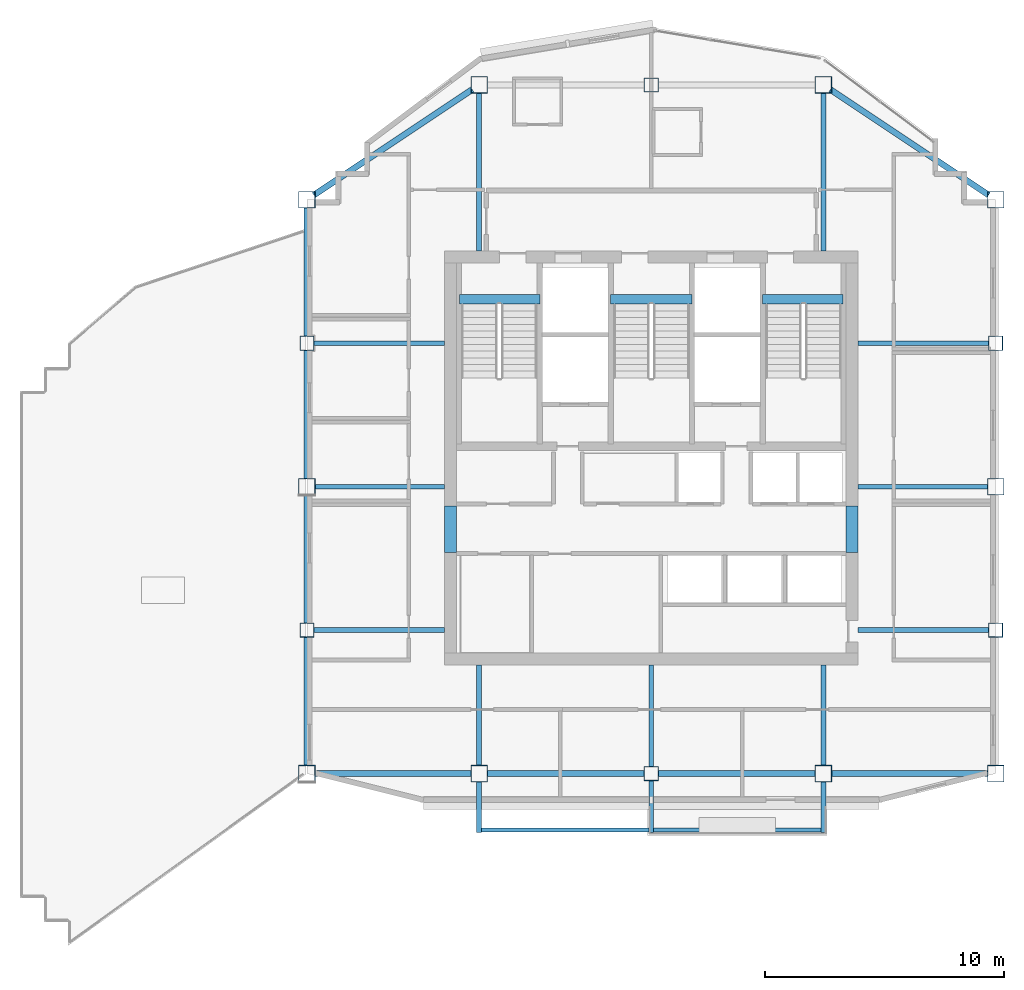
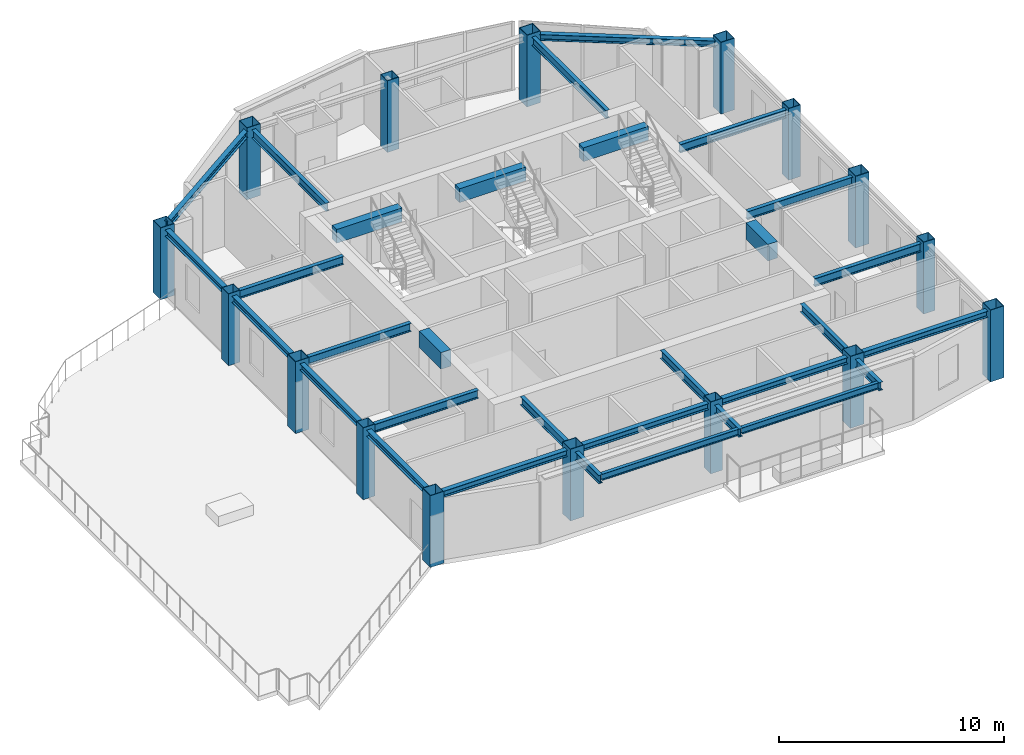
# One storey, part 1 of 12: 31 beams, 16 columns.
"""IFC4 building model written with IfcOpenShell, lengths in metres."""

from ifc_helpers import new_model, si_unit, direction, frame, origin, origin_2d, place, context, subcontext, project, spatial, rectangle, hollow_rectangle, i_section, extrude, material, material_profile, profile_set, type_object, element, save


model = new_model("IFC4")

# Units and contexts
model_context = context("Model", 3, precision=1e-05, world=origin(), true_north=direction((0.0, 1.0)))
body_context = subcontext(model_context, "Body", "Model", "MODEL_VIEW")
ifc_project = project(units=[si_unit("LENGTHUNIT", "METRE"), si_unit("AREAUNIT", "SQUARE_METRE"), si_unit("VOLUMEUNIT", "CUBIC_METRE"), si_unit("PLANEANGLEUNIT", "RADIAN"), si_unit("MASSUNIT", "GRAM", prefix="KILO")], contexts=[model_context])

# Site, building, storey
site_placement = place(None, origin())
site = spatial("IfcSite", under=ifc_project, at=site_placement, CompositionType="ELEMENT")
building_placement = place(site_placement, origin())
building = spatial("IfcBuilding", under=site, at=building_placement, Name="Haolan Belvedere Tower", CompositionType="ELEMENT")
storey_placement = place(building_placement, frame((0.0, 0.0, 282.199951171875)))
storey = spatial("IfcBuildingStorey", under=building, at=storey_placement, Name="L71", CompositionType="ELEMENT", Elevation=282.199951171875)

# Columns
ifc_material_1 = material(Name="Steel Q390GJC", Category="steel")
ifc_material_profile_1 = material_profile(ifc_material_1, hollow_rectangle(XDim=0.60009765625, YDim=0.60009765625, WallThickness=0.02392578125, at=origin_2d()), Name="Steel Q390GJC")
ifc_profile_set_1 = profile_set([ifc_material_profile_1], Name="Steel Q390GJC")
column_type_1 = type_object("IfcColumnType", Name="COL-BOX600x600x24", PredefinedType="COLUMN", material=ifc_profile_set_1)
for number, where, z_axis, x_axis, name in (
    (1, (24.0, 27.60009765625, 0.0), (0.0, 0.0, 1.0), (1.0, 0.0, 0.0), "L71 column TC-T3-W1 (BOX600x600x24)"),
    (2, (24.0, 39.60009765625, 0.0), (0.0, 0.0, 1.0), (1.0, 0.0, 0.0), "L71 column TC-T3-W2 (BOX600x600x24)"),
    (3, (52.800048828125, 27.60009765625, 0.0), (0.0, 0.0, 1.0), (1.0, 0.0, 0.0), "L71 column TC-T3-E1 (BOX600x600x24)"),
    (4, (52.800048828125, 39.60009765625, 0.0), (0.0, 0.0, 1.0), (1.0, 0.0, 0.0), "L71 column TC-T3-E2 (BOX600x600x24)"),
    (5, (38.39990234375, 21.60009765625, 0.0), (0.0, 0.0, 1.0), (1.0, 0.0, 0.0), "L71 column TC-T3-SM (BOX600x600x24)"),
    (6, (38.39990234375, 50.39990234375, 0.0), (0.0, 0.0, 1.0), (1.0, 0.0, 0.0), "L71 column TC-T3-NM (BOX600x600x24)"),
):
    element("IfcColumn", number, at=place(storey_placement, frame(where, z_axis=z_axis, x_axis=x_axis)), inside=storey, type_object=column_type_1, Name=name, PredefinedType="COLUMN", context=body_context, shape_type="SweptSolid", body=[
        extrude(hollow_rectangle(XDim=0.60009765625, YDim=0.60009765625, WallThickness=0.02392578125, at=origin_2d()), origin(), (0.0, 0.0, 1.0), 3.900146484375),
    ])
ifc_material_profile_2 = material_profile(ifc_material_1, hollow_rectangle(XDim=0.699951171875, YDim=0.699951171875, WallThickness=0.02587890625, at=origin_2d()), Name="Steel Q390GJC")
ifc_profile_set_2 = profile_set([ifc_material_profile_2], Name="Steel Q390GJC")
column_type_2 = type_object("IfcColumnType", Name="COL-BOX700x700x26", PredefinedType="COLUMN", material=ifc_profile_set_2)
for number, where, z_axis, x_axis, name in (
    (7, (24.0, 21.60009765625, 0.0), (0.0, 0.0, 1.0), (1.0, 0.0, 0.0), "L71 column MC-T3-SW (BOX700x700x26)"),
    (8, (24.0, 33.60009765625, 0.0), (0.0, 0.0, 1.0), (1.0, 0.0, 0.0), "L71 column MC-T3-MW (BOX700x700x26)"),
    (9, (24.0, 45.60009765625, 0.0), (0.0, 0.0, 1.0), (1.0, 0.0, 0.0), "L71 column MC-T3-NW (BOX700x700x26)"),
    (10, (52.800048828125, 21.60009765625, 0.0), (0.0, 0.0, 1.0), (1.0, 0.0, 0.0), "L71 column MC-T3-SE (BOX700x700x26)"),
    (11, (52.800048828125, 33.60009765625, 0.0), (0.0, 0.0, 1.0), (1.0, 0.0, 0.0), "L71 column MC-T3-ME (BOX700x700x26)"),
    (12, (52.800048828125, 45.60009765625, 0.0), (0.0, 0.0, 1.0), (1.0, 0.0, 0.0), "L71 column MC-T3-NE (BOX700x700x26)"),
    (13, (31.199951171875, 21.60009765625, 0.0), (0.0, 0.0, 1.0), (1.0, 0.0, 0.0), "L71 column MC-T3-S1 (BOX700x700x26)"),
    (14, (45.60009765625, 21.60009765625, 0.0), (0.0, 0.0, 1.0), (1.0, 0.0, 0.0), "L71 column MC-T3-S2 (BOX700x700x26)"),
    (15, (31.199951171875, 50.39990234375, 0.0), (0.0, 0.0, 1.0), (1.0, 0.0, 0.0), "L71 column MC-T3-N1 (BOX700x700x26)"),
    (16, (45.60009765625, 50.39990234375, 0.0), (0.0, 0.0, 1.0), (1.0, 0.0, 0.0), "L71 column MC-T3-N2 (BOX700x700x26)"),
):
    element("IfcColumn", number, at=place(storey_placement, frame(where, z_axis=z_axis, x_axis=x_axis)), inside=storey, type_object=column_type_2, Name=name, PredefinedType="COLUMN", context=body_context, shape_type="SweptSolid", body=[
        extrude(hollow_rectangle(XDim=0.699951171875, YDim=0.699951171875, WallThickness=0.02587890625, at=origin_2d()), origin(), (0.0, 0.0, 1.0), 3.900146484375),
    ])

# Beams
ifc_material_2 = material(Name="Steel Q355B", Category="steel")
ifc_material_profile_3 = material_profile(ifc_material_2, i_section(OverallWidth=0.25, OverallDepth=0.340087890625, WebThickness=0.009033203125, FlangeThickness=0.013916015625, FilletRadius=0.02001953125, at=origin_2d()), Name="Steel Q355B")
ifc_profile_set_3 = profile_set([ifc_material_profile_3], Name="Steel Q355B")
beam_type_1 = type_object("IfcBeamType", Name="BM-HM340x250x9x14", PredefinedType="SPANDREL", material=ifc_profile_set_3)
for number, where, z_axis, x_axis, name in (
    (17, (24.0, 21.949951171875, 3.550048828125), (0.0, 1.0, 0.0), (-1.0, 0.0, 0.0), "L71 spandrel girder MC-T3-SW-TC-T3-W1"),
    (18, (24.0, 27.89990234375, 3.550048828125), (0.0, 1.0, 0.0), (-1.0, 0.0, 0.0), "L71 spandrel girder TC-T3-W1-MC-T3-MW"),
    (19, (24.0, 33.949951171875, 3.550048828125), (0.0, 1.0, 0.0), (-1.0, 0.0, 0.0), "L71 spandrel girder MC-T3-MW-TC-T3-W2"),
    (20, (24.0, 39.89990234375, 3.550048828125), (0.0, 1.0, 0.0), (-1.0, 0.0, 0.0), "L71 spandrel girder TC-T3-W2-MC-T3-NW"),
):
    element("IfcBeam", number, at=place(storey_placement, frame(where, z_axis=z_axis, x_axis=x_axis)), inside=storey, type_object=beam_type_1, Name=name, PredefinedType="SPANDREL", context=body_context, shape_type="SweptSolid", body=[
        extrude(i_section(OverallWidth=0.25, OverallDepth=0.340087890625, WebThickness=0.009033203125, FlangeThickness=0.013916015625, FilletRadius=0.02001953125, at=origin_2d()), origin(), (0.0, 0.0, 1.0), 5.35009765625),
    ])
beam_1_placement = place(storey_placement, frame((24.35009765625, 21.60009765625, 3.550048828125), z_axis=(1.0, 0.0, 0.0), x_axis=(0.0, 1.0, 0.0)))
element("IfcBeam", 21, at=beam_1_placement, inside=storey, type_object=beam_type_1, Name="L71 spandrel girder MC-T3-SW-MC-T3-S1", PredefinedType="SPANDREL", context=body_context, shape_type="SweptSolid", body=[
    extrude(i_section(OverallWidth=0.25, OverallDepth=0.340087890625, WebThickness=0.009033203125, FlangeThickness=0.013916015625, FilletRadius=0.02001953125, at=origin_2d()), origin(), (0.0, 0.0, 1.0), 6.5),
])
for number, where, z_axis, x_axis, name in (
    (22, (31.550048828125, 21.60009765625, 3.550048828125), (1.0, 0.0, 0.0), (0.0, 1.0, 0.0), "L71 spandrel girder MC-T3-S1-TC-T3-SM"),
    (23, (38.699951171875, 21.60009765625, 3.550048828125), (1.0, 0.0, 0.0), (0.0, 1.0, 0.0), "L71 spandrel girder TC-T3-SM-MC-T3-S2"),
):
    element("IfcBeam", number, at=place(storey_placement, frame(where, z_axis=z_axis, x_axis=x_axis)), inside=storey, type_object=beam_type_1, Name=name, PredefinedType="SPANDREL", context=body_context, shape_type="SweptSolid", body=[
        extrude(i_section(OverallWidth=0.25, OverallDepth=0.340087890625, WebThickness=0.009033203125, FlangeThickness=0.013916015625, FilletRadius=0.02001953125, at=origin_2d()), origin(), (0.0, 0.0, 1.0), 6.550048828125),
    ])
beam_2_placement = place(storey_placement, frame((45.949951171875, 21.60009765625, 3.550048828125), z_axis=(1.0, 0.0, 0.0), x_axis=(0.0, 1.0, 0.0)))
element("IfcBeam", 24, at=beam_2_placement, inside=storey, type_object=beam_type_1, Name="L71 spandrel girder MC-T3-S2-MC-T3-SE", PredefinedType="SPANDREL", context=body_context, shape_type="SweptSolid", body=[
    extrude(i_section(OverallWidth=0.25, OverallDepth=0.340087890625, WebThickness=0.009033203125, FlangeThickness=0.013916015625, FilletRadius=0.02001953125, at=origin_2d()), origin(), (0.0, 0.0, 1.0), 6.5),
])
beam_3_placement = place(storey_placement, frame((24.291259765625, 45.794189453125, 3.550048828125), z_axis=(0.832050294338, 0.554700196225, 0.0), x_axis=(-0.554700196225, 0.832050294338, 0.0)))
element("IfcBeam", 25, at=beam_3_placement, inside=storey, type_object=beam_type_1, Name="L71 spandrel girder MC-T3-NW-MC-T3-N1", PredefinedType="SPANDREL", context=body_context, shape_type="SweptSolid", body=[
    extrude(i_section(OverallWidth=0.25, OverallDepth=0.340087890625, WebThickness=0.009033203125, FlangeThickness=0.013916015625, FilletRadius=0.02001953125, at=origin_2d()), origin(), (0.0, 0.0, 1.0), 7.953125),
])
beam_4_placement = place(storey_placement, frame((45.89111328125, 50.205810546875, 3.550048828125), z_axis=(0.832059739299, -0.554686028522, 0.0), x_axis=(0.554686028522, 0.832059739299, 0.0)))
element("IfcBeam", 26, at=beam_4_placement, inside=storey, type_object=beam_type_1, Name="L71 spandrel girder MC-T3-N2-MC-T3-NE", PredefinedType="SPANDREL", context=body_context, shape_type="SweptSolid", body=[
    extrude(i_section(OverallWidth=0.25, OverallDepth=0.340087890625, WebThickness=0.009033203125, FlangeThickness=0.013916015625, FilletRadius=0.02001953125, at=origin_2d()), origin(), (0.0, 0.0, 1.0), 7.953369140625),
])
ifc_material_profile_4 = material_profile(ifc_material_2, i_section(OverallWidth=0.175048828125, OverallDepth=0.35009765625, WebThickness=0.007080078125, FlangeThickness=0.010986328125, FilletRadius=0.012939453125, at=origin_2d()), Name="Steel Q355B")
ifc_profile_set_4 = profile_set([ifc_material_profile_4], Name="Steel Q355B")
beam_type_2 = type_object("IfcBeamType", Name="BM-HN350x175x7x11", PredefinedType="JOIST", material=ifc_profile_set_4)
for number, where, z_axis, x_axis, name in (
    (27, (31.300048828125, 19.239990234375, 3.4951171875), (1.0, 0.0, 0.0), (0.0, 1.0, 0.0), "L72 tree-balcony front trimmer beam 1"),
    (28, (38.5, 19.239990234375, 3.4951171875), (1.0, 0.0, 0.0), (0.0, 1.0, 0.0), "L72 tree-balcony front trimmer beam 2"),
):
    element("IfcBeam", number, at=place(storey_placement, frame(where, z_axis=z_axis, x_axis=x_axis)), inside=storey, type_object=beam_type_2, Name=name, PredefinedType="BEAM", context=body_context, shape_type="SweptSolid", body=[
        extrude(i_section(OverallWidth=0.175048828125, OverallDepth=0.35009765625, WebThickness=0.007080078125, FlangeThickness=0.010986328125, FilletRadius=0.012939453125, at=origin_2d()), origin(), (0.0, 0.0, 1.0), 7.0),
    ])
ifc_material_profile_5 = material_profile(ifc_material_2, i_section(OverallWidth=0.199951171875, OverallDepth=0.449951171875, WebThickness=0.009033203125, FlangeThickness=0.013916015625, FilletRadius=0.01611328125, at=origin_2d()), Name="Steel Q355B")
ifc_profile_set_5 = profile_set([ifc_material_profile_5], Name="Steel Q355B")
beam_type_3 = type_object("IfcBeamType", Name="BM-HN450x200x9x14", PredefinedType="BEAM", material=ifc_profile_set_5)
beam_5_placement = place(storey_placement, frame((24.35009765625, 33.60009765625, 3.4951171875), z_axis=(1.0, 0.0, 0.0), x_axis=(0.0, 1.0, 0.0)))
element("IfcBeam", 29, at=beam_5_placement, inside=storey, type_object=beam_type_3, Name="L71 core tie beam from MC-T3-MW", PredefinedType="BEAM", context=body_context, shape_type="SweptSolid", body=[
    extrude(i_section(OverallWidth=0.199951171875, OverallDepth=0.449951171875, WebThickness=0.009033203125, FlangeThickness=0.013916015625, FilletRadius=0.01611328125, at=origin_2d()), origin(), (0.0, 0.0, 1.0), 5.39990234375),
])
for number, where, z_axis, x_axis, name in (
    (30, (24.300048828125, 27.60009765625, 3.4951171875), (1.0, 0.0, 0.0), (0.0, 1.0, 0.0), "L71 core tie beam from TC-T3-W1"),
    (31, (24.300048828125, 39.60009765625, 3.4951171875), (1.0, 0.0, 0.0), (0.0, 1.0, 0.0), "L71 core tie beam from TC-T3-W2"),
):
    element("IfcBeam", number, at=place(storey_placement, frame(where, z_axis=z_axis, x_axis=x_axis)), inside=storey, type_object=beam_type_3, Name=name, PredefinedType="BEAM", context=body_context, shape_type="SweptSolid", body=[
        extrude(i_section(OverallWidth=0.199951171875, OverallDepth=0.449951171875, WebThickness=0.009033203125, FlangeThickness=0.013916015625, FilletRadius=0.01611328125, at=origin_2d()), origin(), (0.0, 0.0, 1.0), 5.449951171875),
    ])
beam_6_placement = place(storey_placement, frame((52.449951171875, 33.60009765625, 3.4951171875), z_axis=(-1.0, 0.0, 0.0), x_axis=(0.0, -1.0, 0.0)))
element("IfcBeam", 32, at=beam_6_placement, inside=storey, type_object=beam_type_3, Name="L71 core tie beam from MC-T3-ME", PredefinedType="BEAM", context=body_context, shape_type="SweptSolid", body=[
    extrude(i_section(OverallWidth=0.199951171875, OverallDepth=0.449951171875, WebThickness=0.009033203125, FlangeThickness=0.013916015625, FilletRadius=0.01611328125, at=origin_2d()), origin(), (0.0, 0.0, 1.0), 5.39990234375),
])
for number, where, z_axis, x_axis, name in (
    (33, (52.5, 27.60009765625, 3.4951171875), (-1.0, 0.0, 0.0), (0.0, -1.0, 0.0), "L71 core tie beam from TC-T3-E1"),
    (34, (52.5, 39.60009765625, 3.4951171875), (-1.0, 0.0, 0.0), (0.0, -1.0, 0.0), "L71 core tie beam from TC-T3-E2"),
):
    element("IfcBeam", number, at=place(storey_placement, frame(where, z_axis=z_axis, x_axis=x_axis)), inside=storey, type_object=beam_type_3, Name=name, PredefinedType="BEAM", context=body_context, shape_type="SweptSolid", body=[
        extrude(i_section(OverallWidth=0.199951171875, OverallDepth=0.449951171875, WebThickness=0.009033203125, FlangeThickness=0.013916015625, FilletRadius=0.01611328125, at=origin_2d()), origin(), (0.0, 0.0, 1.0), 5.449951171875),
    ])
beam_7_placement = place(storey_placement, frame((31.199951171875, 21.949951171875, 3.4951171875), z_axis=(0.0, 1.0, 0.0), x_axis=(-1.0, 0.0, 0.0)))
element("IfcBeam", 35, at=beam_7_placement, inside=storey, type_object=beam_type_3, Name="L71 core tie beam from MC-T3-S1", PredefinedType="BEAM", context=body_context, shape_type="SweptSolid", body=[
    extrude(i_section(OverallWidth=0.199951171875, OverallDepth=0.449951171875, WebThickness=0.009033203125, FlangeThickness=0.013916015625, FilletRadius=0.01611328125, at=origin_2d()), origin(), (0.0, 0.0, 1.0), 4.199951171875),
])
beam_8_placement = place(storey_placement, frame((38.39990234375, 21.89990234375, 3.4951171875), z_axis=(0.0, 1.0, 0.0), x_axis=(-1.0, 0.0, 0.0)))
element("IfcBeam", 36, at=beam_8_placement, inside=storey, type_object=beam_type_3, Name="L71 core tie beam from TC-T3-SM", PredefinedType="BEAM", context=body_context, shape_type="SweptSolid", body=[
    extrude(i_section(OverallWidth=0.199951171875, OverallDepth=0.449951171875, WebThickness=0.009033203125, FlangeThickness=0.013916015625, FilletRadius=0.01611328125, at=origin_2d()), origin(), (0.0, 0.0, 1.0), 4.25),
])
beam_9_placement = place(storey_placement, frame((45.60009765625, 21.949951171875, 3.4951171875), z_axis=(0.0, 1.0, 0.0), x_axis=(-1.0, 0.0, 0.0)))
element("IfcBeam", 37, at=beam_9_placement, inside=storey, type_object=beam_type_3, Name="L71 core tie beam from MC-T3-S2", PredefinedType="BEAM", context=body_context, shape_type="SweptSolid", body=[
    extrude(i_section(OverallWidth=0.199951171875, OverallDepth=0.449951171875, WebThickness=0.009033203125, FlangeThickness=0.013916015625, FilletRadius=0.01611328125, at=origin_2d()), origin(), (0.0, 0.0, 1.0), 4.199951171875),
])
for number, where, z_axis, x_axis, name in (
    (38, (31.199951171875, 50.050048828125, 3.4951171875), (0.0, -1.0, 0.0), (1.0, 0.0, 0.0), "L71 core tie beam from MC-T3-N1"),
    (39, (45.60009765625, 50.050048828125, 3.4951171875), (0.0, -1.0, 0.0), (1.0, 0.0, 0.0), "L71 core tie beam from MC-T3-N2"),
):
    element("IfcBeam", number, at=place(storey_placement, frame(where, z_axis=z_axis, x_axis=x_axis)), inside=storey, type_object=beam_type_3, Name=name, PredefinedType="BEAM", context=body_context, shape_type="SweptSolid", body=[
        extrude(i_section(OverallWidth=0.199951171875, OverallDepth=0.449951171875, WebThickness=0.009033203125, FlangeThickness=0.013916015625, FilletRadius=0.01611328125, at=origin_2d()), origin(), (0.0, 0.0, 1.0), 6.60009765625),
    ])
beam_10_placement = place(storey_placement, frame((31.199951171875, 21.25, 3.445068359375), z_axis=(0.0, -1.0, 0.0), x_axis=(1.0, 0.0, 0.0)))
element("IfcBeam", 40, at=beam_10_placement, inside=storey, type_object=beam_type_3, Name="L72 tree-balcony column cantilever MC-T3-S1", PredefinedType="BEAM", context=body_context, shape_type="SweptSolid", body=[
    extrude(i_section(OverallWidth=0.199951171875, OverallDepth=0.449951171875, WebThickness=0.009033203125, FlangeThickness=0.013916015625, FilletRadius=0.01611328125, at=origin_2d()), origin(), (0.0, 0.0, 1.0), 2.110107421875),
])
beam_11_placement = place(storey_placement, frame((38.39990234375, 21.300048828125, 3.445068359375), z_axis=(0.0, -1.0, 0.0), x_axis=(1.0, 0.0, 0.0)))
element("IfcBeam", 41, at=beam_11_placement, inside=storey, type_object=beam_type_3, Name="L72 tree-balcony column cantilever TC-T3-SM", PredefinedType="BEAM", context=body_context, shape_type="SweptSolid", body=[
    extrude(i_section(OverallWidth=0.199951171875, OverallDepth=0.449951171875, WebThickness=0.009033203125, FlangeThickness=0.013916015625, FilletRadius=0.01611328125, at=origin_2d()), origin(), (0.0, 0.0, 1.0), 2.16015625),
])
beam_12_placement = place(storey_placement, frame((45.60009765625, 21.25, 3.445068359375), z_axis=(0.0, -1.0, 0.0), x_axis=(1.0, 0.0, 0.0)))
element("IfcBeam", 42, at=beam_12_placement, inside=storey, type_object=beam_type_3, Name="L72 tree-balcony column cantilever MC-T3-S2", PredefinedType="BEAM", context=body_context, shape_type="SweptSolid", body=[
    extrude(i_section(OverallWidth=0.199951171875, OverallDepth=0.449951171875, WebThickness=0.009033203125, FlangeThickness=0.013916015625, FilletRadius=0.01611328125, at=origin_2d()), origin(), (0.0, 0.0, 1.0), 2.110107421875),
])
ifc_material_3 = material(Name="Concrete C50/60", Category="concrete")
ifc_material_profile_6 = material_profile(ifc_material_3, rectangle(XDim=0.39990234375, YDim=0.75, at=origin_2d()), Name="Concrete C50/60")
ifc_profile_set_6 = profile_set([ifc_material_profile_6], Name="Concrete C50/60")
beam_type_4 = type_object("IfcBeamType", Name="BM-RC400x750", PredefinedType="T_BEAM", material=ifc_profile_set_6)
beam_13_placement = place(storey_placement, frame((30.3798828125, 41.429931640625, 3.525146484375), z_axis=(1.0, 0.0, 0.0), x_axis=(0.0, 1.0, 0.0)))
element("IfcBeam", 43, at=beam_13_placement, inside=storey, type_object=beam_type_4, Name="L72 stair ST1 RC header trimmer beam", PredefinedType="BEAM", context=body_context, shape_type="SweptSolid", body=[
    extrude(rectangle(XDim=0.39990234375, YDim=0.75, at=origin_2d()), origin(), (0.0, 0.0, 1.0), 3.360107421875),
])
beam_14_placement = place(storey_placement, frame((36.699951171875, 41.429931640625, 3.525146484375), z_axis=(1.0, 0.0, 0.0), x_axis=(0.0, 1.0, 0.0)))
element("IfcBeam", 44, at=beam_14_placement, inside=storey, type_object=beam_type_4, Name="L72 stair ST3 RC header trimmer beam", PredefinedType="BEAM", context=body_context, shape_type="SweptSolid", body=[
    extrude(rectangle(XDim=0.39990234375, YDim=0.75, at=origin_2d()), origin(), (0.0, 0.0, 1.0), 3.400146484375),
])
beam_15_placement = place(storey_placement, frame((43.06005859375, 41.429931640625, 3.525146484375), z_axis=(1.0, 0.0, 0.0), x_axis=(0.0, 1.0, 0.0)))
element("IfcBeam", 45, at=beam_15_placement, inside=storey, type_object=beam_type_4, Name="L72 stair ST2 RC header trimmer beam", PredefinedType="BEAM", context=body_context, shape_type="SweptSolid", body=[
    extrude(rectangle(XDim=0.39990234375, YDim=0.75, at=origin_2d()), origin(), (0.0, 0.0, 1.0), 3.35986328125),
])
ifc_material_4 = material(Name="Concrete C60/75", Category="concrete")
ifc_material_profile_7 = material_profile(ifc_material_4, rectangle(XDim=0.5, YDim=0.89990234375, at=origin_2d()), Name="Concrete C60/75")
ifc_profile_set_7 = profile_set([ifc_material_profile_7], Name="Concrete C60/75")
beam_type_5 = type_object("IfcBeamType", Name="BM-RC500x900", PredefinedType="LINTEL", material=ifc_profile_set_7)
for number, where, z_axis, x_axis, name in (
    (46, (30.0, 30.85009765625, 3.27001953125), (0.0, 1.0, 0.0), (-1.0, 0.0, 0.0), "L71 west core coupling beam CB-01"),
    (47, (46.800048828125, 30.85009765625, 3.27001953125), (0.0, 1.0, 0.0), (-1.0, 0.0, 0.0), "L71 east core coupling beam CB-01"),
):
    element("IfcBeam", number, at=place(storey_placement, frame(where, z_axis=z_axis, x_axis=x_axis)), inside=storey, type_object=beam_type_5, Name=name, PredefinedType="LINTEL", context=body_context, shape_type="SweptSolid", body=[
        extrude(rectangle(XDim=0.5, YDim=0.89990234375, at=origin_2d()), origin(), (0.0, 0.0, 1.0), 1.949951171875),
    ])

save(model, "model.ifc")
